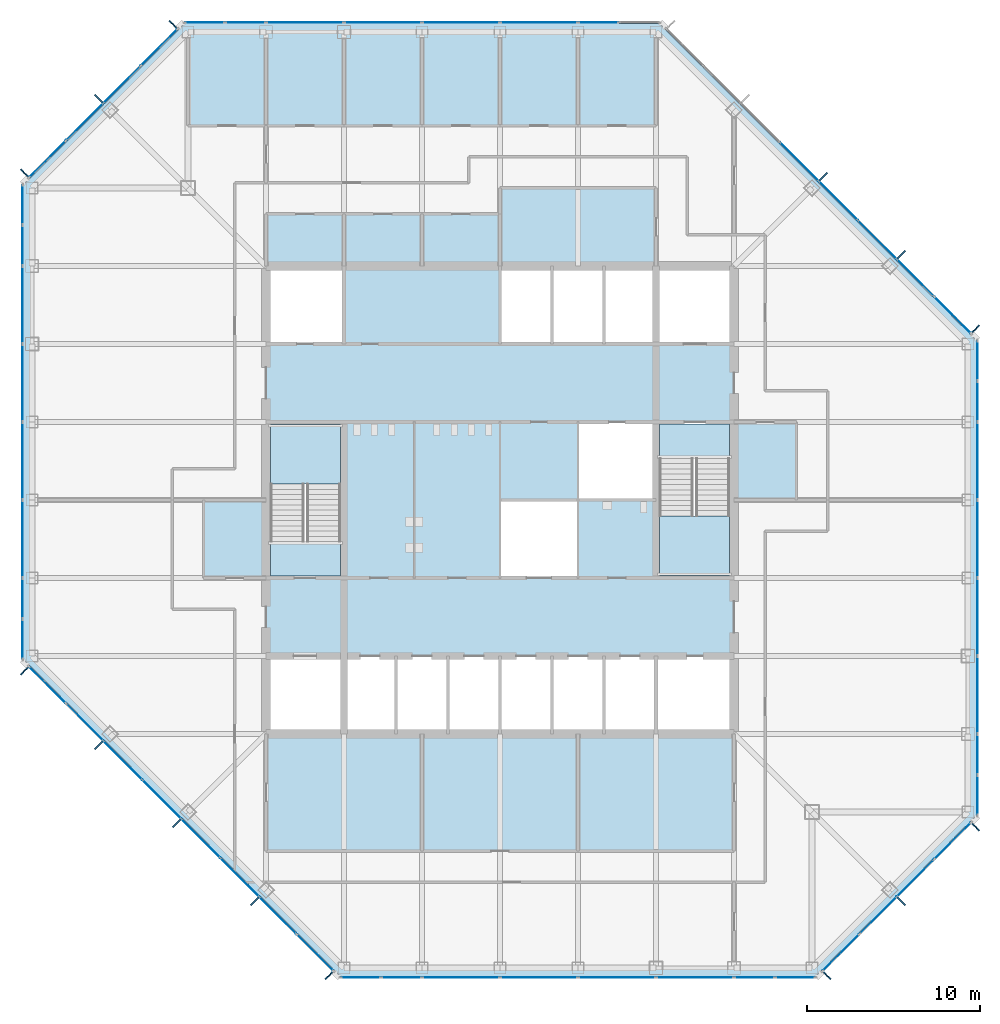
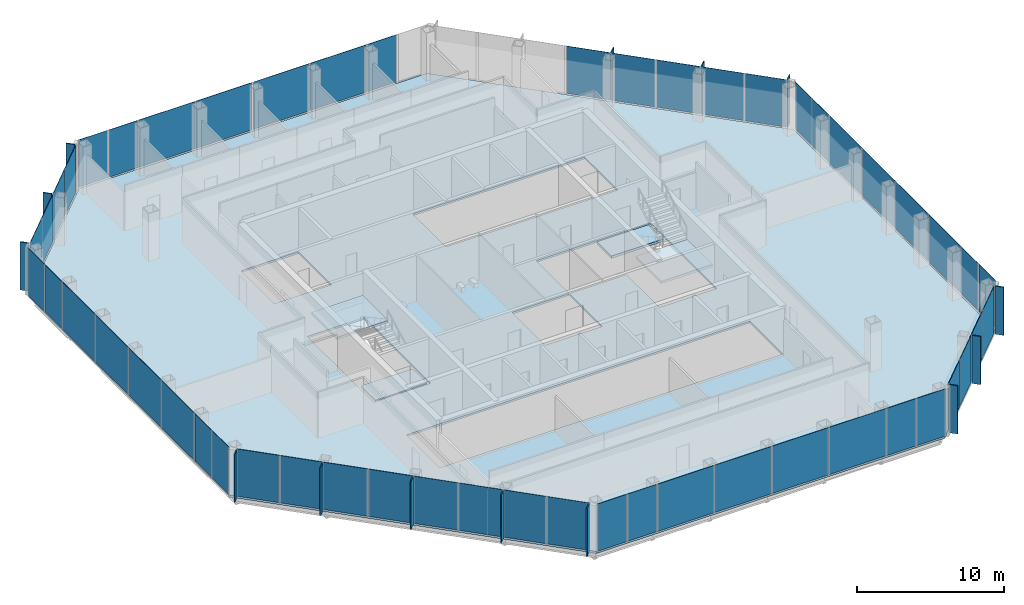
# One storey, part 7 of 13: 66 plates, 5 slabs, 10 elements without a shape of their own.
"""IFC4 building model written with IfcOpenShell, lengths in metres."""

from ifc_helpers import new_model, si_unit, direction, frame, origin, origin_2d, place, context, subcontext, project, spatial, polyline, rectangle, outline, extrude, material, layer, layer_set, type_object, element, aggregate, save


model = new_model("IFC4")

# Units and contexts
model_context = context("Model", 3, precision=1e-05, world=origin(), true_north=direction((0.0, 1.0)))
body_context = subcontext(model_context, "Body", "Model", "MODEL_VIEW")
ifc_project = project(units=[si_unit("LENGTHUNIT", "METRE"), si_unit("AREAUNIT", "SQUARE_METRE"), si_unit("VOLUMEUNIT", "CUBIC_METRE"), si_unit("PLANEANGLEUNIT", "RADIAN"), si_unit("MASSUNIT", "GRAM", prefix="KILO")], contexts=[model_context])

# Site, building, storey
site_placement = place(None, origin())
site = spatial("IfcSite", under=ifc_project, at=site_placement, CompositionType="ELEMENT")
building_placement = place(site_placement, origin())
building = spatial("IfcBuilding", under=site, at=building_placement, Name="Corais Broadcast Tower", CompositionType="ELEMENT")
storey_placement = place(building_placement, frame((0.0, 0.0, 171.60009765625)))
storey = spatial("IfcBuildingStorey", under=building, at=storey_placement, Name="L39", CompositionType="ELEMENT", Elevation=171.60009765625)

# Slab
ifc_material_1 = material(Name="Concrete C30/37", Category="concrete")
ifc_layer_1 = layer(ifc_material_1, 0.159912109375)
ifc_layer_set_1 = layer_set([ifc_layer_1], Name="Concrete C30/37")
slab_type_1 = type_object("IfcSlabType", Name="Composite floor slab 160", PredefinedType="FLOOR", material=ifc_layer_set_1)
slab_1_placement = place(storey_placement, frame((0.0, 0.0, -0.16015625)))
element("IfcSlab", 1, at=slab_1_placement, inside=storey, type_object=slab_type_1, Name="S160 floor slab L39", PredefinedType="FLOOR", context=body_context, shape_type="SweptSolid", body=[
    extrude(outline(polyline([(17.80126953125, -0.47998046875), (-0.47998046875, 17.80126953125), (-0.47998046875, 45.19873046875), (8.80126953125, 54.47998046875), (36.19873046875, 54.47998046875), (54.47998046875, 36.19873046875), (54.47998046875, 8.80126953125), (45.19873046875, -0.47998046875), (17.80126953125, -0.47998046875)]), holes=[polyline([(13.5, 18.0), (40.5, 18.0), (40.5, 13.5), (13.5, 13.5), (13.5, 18.0)]), polyline([(18.0, 22.5), (13.5, 22.5), (13.5, 31.5), (18.0, 31.5), (18.0, 22.5)]), polyline([(18.0, 36.0), (13.5, 36.0), (13.5, 40.5), (18.0, 40.5), (18.0, 36.0)]), polyline([(31.5, 22.5), (27.0, 22.5), (27.0, 27.0), (31.4951171875, 27.0), (31.4951171875, 27.0048828125), (31.5, 27.0048828125), (31.5, 31.5), (40.5, 31.5), (40.5, 22.5), (36.0, 22.5), (36.0, 27.0), (31.5048828125, 27.0), (31.5048828125, 26.9951171875), (31.5, 26.9951171875), (31.5, 22.5)]), polyline([(27.0, 40.5), (40.5, 40.5), (40.5, 36.0), (27.0, 36.0), (27.0, 40.5)])]), origin(), (0.0, 0.0, 1.0), 0.16015625),
])

# Curtain wall, plates
ifc_material_2 = material(Name="Aluminium and glass", Category="aluminium")
curtain_wall_type = type_object("IfcCurtainWallType", Name="Unitised fritted curtain wall CW2", PredefinedType="NOTDEFINED", material=ifc_material_2)
curtain_wall_1_placement = place(storey_placement, origin())
curtain_wall_1 = element("IfcCurtainWall", 2, at=curtain_wall_1_placement, inside=storey, type_object=curtain_wall_type, Name="CW2 curtain wall L39 1", PredefinedType="NOTDEFINED")
ifc_material_3 = material(Name="Ceramic-fritted laminated glass", Category="glass")
ifc_layer_2 = layer(ifc_material_3, 0.028076171875)
ifc_layer_set_2 = layer_set([ifc_layer_2], Name="Ceramic-fritted laminated glass")
plate_type_1 = type_object("IfcPlateType", Name="Fritted glass panel CW2", PredefinedType="CURTAIN_PANEL", material=ifc_layer_set_2)
plate_1_placement = place(storey_placement, frame((16.330322265625, 0.891845703125, 0.06494140625), z_axis=(0.0, 0.0, 1.0), x_axis=(-0.707106781187, 0.707106781187, 0.0)))
plate_1 = element("IfcPlate", 3, at=plate_1_placement, type_object=plate_type_1, Name="CW2 panel 1", PredefinedType="CURTAIN_PANEL", context=body_context, shape_type="SweptSolid", body=[
    extrude(rectangle(XDim=2.9482421875, YDim=0.028076171875, at=origin_2d()), origin(), (0.0, 0.0, 1.0), 3.93505859375),
])
plate_2_placement = place(storey_placement, frame((11.986083984375, 5.236083984375, 0.06494140625), z_axis=(0.0, 0.0, 1.0), x_axis=(-0.707106781187, 0.707106781187, 0.0)))
plate_2 = element("IfcPlate", 4, at=plate_2_placement, type_object=plate_type_1, Name="CW2 panel 3", PredefinedType="CURTAIN_PANEL", context=body_context, shape_type="SweptSolid", body=[
    extrude(rectangle(XDim=3.116943359375, YDim=0.028076171875, at=origin_2d()), origin(), (0.0, 0.0, 1.0), 3.93505859375),
])
plate_3_placement = place(storey_placement, frame((7.486083984375, 9.736083984375, 0.06494140625), z_axis=(0.0, 0.0, 1.0), x_axis=(-0.707106781187, 0.707106781187, 0.0)))
plate_3 = element("IfcPlate", 5, at=plate_3_placement, type_object=plate_type_1, Name="CW2 panel 5", PredefinedType="CURTAIN_PANEL", context=body_context, shape_type="SweptSolid", body=[
    extrude(rectangle(XDim=3.116943359375, YDim=0.028076171875, at=origin_2d()), origin(), (0.0, 0.0, 1.0), 3.93505859375),
])
plate_4_placement = place(storey_placement, frame((3.0341796875, 14.18798828125, 0.06494140625), z_axis=(0.0, 0.0, 1.0), x_axis=(-0.707106781187, 0.707106781187, 0.0)))
plate_4 = element("IfcPlate", 6, at=plate_4_placement, type_object=plate_type_1, Name="CW2 panel 7", PredefinedType="CURTAIN_PANEL", context=body_context, shape_type="SweptSolid", body=[
    extrude(rectangle(XDim=2.98095703125, YDim=0.028076171875, at=origin_2d()), origin(), (0.0, 0.0, 1.0), 3.93505859375),
])

curtain_wall_2_placement = place(storey_placement, origin())
curtain_wall_2 = element("IfcCurtainWall", 7, at=curtain_wall_2_placement, inside=storey, type_object=curtain_wall_type, Name="CW2 curtain wall L39 2", PredefinedType="NOTDEFINED")
plate_5_placement = place(storey_placement, frame((-0.550048828125, 18.970458984375, 0.06494140625), z_axis=(0.0, 0.0, 1.0), x_axis=(0.0, 1.0, 0.0)))
plate_5 = element("IfcPlate", 8, at=plate_5_placement, type_object=plate_type_1, Name="CW2 panel 1", PredefinedType="CURTAIN_PANEL", context=body_context, shape_type="SweptSolid", body=[
    extrude(rectangle(XDim=2.266357421875, YDim=0.028076171875, at=origin_2d()), origin(), (0.0, 0.0, 1.0), 3.93505859375),
])
plate_6_placement = place(storey_placement, frame((-0.550048828125, 24.75, 0.06494140625), z_axis=(0.0, 0.0, 1.0), x_axis=(0.0, 1.0, 0.0)))
plate_6 = element("IfcPlate", 9, at=plate_6_placement, type_object=plate_type_1, Name="CW2 panel 3", PredefinedType="CURTAIN_PANEL", context=body_context, shape_type="SweptSolid", body=[
    extrude(rectangle(XDim=4.43505859375, YDim=0.028076171875, at=origin_2d()), origin(), (0.0, 0.0, 1.0), 3.93505859375),
])
plate_7_placement = place(storey_placement, frame((-0.550048828125, 33.75, 0.06494140625), z_axis=(0.0, 0.0, 1.0), x_axis=(0.0, 1.0, 0.0)))
plate_7 = element("IfcPlate", 10, at=plate_7_placement, type_object=plate_type_1, Name="CW2 panel 5", PredefinedType="CURTAIN_PANEL", context=body_context, shape_type="SweptSolid", body=[
    extrude(rectangle(XDim=4.43505859375, YDim=0.028076171875, at=origin_2d()), origin(), (0.0, 0.0, 1.0), 3.93505859375),
])
plate_8_placement = place(storey_placement, frame((-0.550048828125, 41.681884765625, 0.06494140625), z_axis=(0.0, 0.0, 1.0), x_axis=(0.0, 1.0, 0.0)))
plate_8 = element("IfcPlate", 11, at=plate_8_placement, type_object=plate_type_1, Name="CW2 panel 7", PredefinedType="CURTAIN_PANEL", context=body_context, shape_type="SweptSolid", body=[
    extrude(rectangle(XDim=2.298828125, YDim=0.028076171875, at=origin_2d()), origin(), (0.0, 0.0, 1.0), 3.93505859375),
])

curtain_wall_3_placement = place(storey_placement, origin())
curtain_wall_3 = element("IfcCurtainWall", 12, at=curtain_wall_3_placement, inside=storey, type_object=curtain_wall_type, Name="CW2 curtain wall L39 3", PredefinedType="NOTDEFINED")
plate_9_placement = place(storey_placement, frame((0.891845703125, 46.669677734375, 0.06494140625), z_axis=(0.0, 0.0, 1.0), x_axis=(0.707106781187, 0.707106781187, 0.0)))
plate_9 = element("IfcPlate", 13, at=plate_9_placement, type_object=plate_type_1, Name="CW2 panel 1", PredefinedType="CURTAIN_PANEL", context=body_context, shape_type="SweptSolid", body=[
    extrude(rectangle(XDim=2.9482421875, YDim=0.028076171875, at=origin_2d()), origin(), (0.0, 0.0, 1.0), 3.93505859375),
])
plate_10_placement = place(storey_placement, frame((5.18798828125, 50.9658203125, 0.06494140625), z_axis=(0.0, 0.0, 1.0), x_axis=(0.707106781187, 0.707106781187, 0.0)))
plate_10 = element("IfcPlate", 14, at=plate_10_placement, type_object=plate_type_1, Name="CW2 panel 3", PredefinedType="CURTAIN_PANEL", context=body_context, shape_type="SweptSolid", body=[
    extrude(rectangle(XDim=2.98095703125, YDim=0.028076171875, at=origin_2d()), origin(), (0.0, 0.0, 1.0), 3.93505859375),
])

curtain_wall_4_placement = place(storey_placement, origin())
curtain_wall_4 = element("IfcCurtainWall", 15, at=curtain_wall_4_placement, inside=storey, type_object=curtain_wall_type, Name="CW2 curtain wall L39 4", PredefinedType="NOTDEFINED")
plate_11_placement = place(storey_placement, frame((9.970458984375, 54.550048828125, 0.06494140625), z_axis=(0.0, 0.0, 1.0), x_axis=(1.0, 0.0, 0.0)))
plate_11 = element("IfcPlate", 16, at=plate_11_placement, type_object=plate_type_1, Name="CW2 panel 1", PredefinedType="CURTAIN_PANEL", context=body_context, shape_type="SweptSolid", body=[
    extrude(rectangle(XDim=2.266357421875, YDim=0.028076171875, at=origin_2d()), origin(), (0.0, 0.0, 1.0), 3.93505859375),
])
plate_12_placement = place(storey_placement, frame((15.75, 54.550048828125, 0.06494140625), z_axis=(0.0, 0.0, 1.0), x_axis=(1.0, 0.0, 0.0)))
plate_12 = element("IfcPlate", 17, at=plate_12_placement, type_object=plate_type_1, Name="CW2 panel 3", PredefinedType="CURTAIN_PANEL", context=body_context, shape_type="SweptSolid", body=[
    extrude(rectangle(XDim=4.43505859375, YDim=0.028076171875, at=origin_2d()), origin(), (0.0, 0.0, 1.0), 3.93505859375),
])
plate_13_placement = place(storey_placement, frame((24.75, 54.550048828125, 0.06494140625), z_axis=(0.0, 0.0, 1.0), x_axis=(1.0, 0.0, 0.0)))
plate_13 = element("IfcPlate", 18, at=plate_13_placement, type_object=plate_type_1, Name="CW2 panel 5", PredefinedType="CURTAIN_PANEL", context=body_context, shape_type="SweptSolid", body=[
    extrude(rectangle(XDim=4.43505859375, YDim=0.028076171875, at=origin_2d()), origin(), (0.0, 0.0, 1.0), 3.93505859375),
])
plate_14_placement = place(storey_placement, frame((32.681884765625, 54.550048828125, 0.06494140625), z_axis=(0.0, 0.0, 1.0), x_axis=(1.0, 0.0, 0.0)))
plate_14 = element("IfcPlate", 19, at=plate_14_placement, type_object=plate_type_1, Name="CW2 panel 7", PredefinedType="CURTAIN_PANEL", context=body_context, shape_type="SweptSolid", body=[
    extrude(rectangle(XDim=2.298828125, YDim=0.028076171875, at=origin_2d()), origin(), (0.0, 0.0, 1.0), 3.93505859375),
])

curtain_wall_5_placement = place(storey_placement, origin())
curtain_wall_5 = element("IfcCurtainWall", 20, at=curtain_wall_5_placement, inside=storey, type_object=curtain_wall_type, Name="CW2 curtain wall L39 5", PredefinedType="NOTDEFINED")
plate_15_placement = place(storey_placement, frame((46.513916015625, 44.263916015625, 0.06494140625), z_axis=(0.0, 0.0, 1.0), x_axis=(0.707106781187, -0.707106781187, 0.0)))
plate_15 = element("IfcPlate", 21, at=plate_15_placement, type_object=plate_type_1, Name="CW2 panel 5", PredefinedType="CURTAIN_PANEL", context=body_context, shape_type="SweptSolid", body=[
    extrude(rectangle(XDim=3.116943359375, YDim=0.028076171875, at=origin_2d()), origin(), (0.0, 0.0, 1.0), 3.93505859375),
])
plate_16_placement = place(storey_placement, frame((50.9658203125, 39.81201171875, 0.06494140625), z_axis=(0.0, 0.0, 1.0), x_axis=(0.707106781187, -0.707106781187, 0.0)))
plate_16 = element("IfcPlate", 22, at=plate_16_placement, type_object=plate_type_1, Name="CW2 panel 7", PredefinedType="CURTAIN_PANEL", context=body_context, shape_type="SweptSolid", body=[
    extrude(rectangle(XDim=2.98095703125, YDim=0.028076171875, at=origin_2d()), origin(), (0.0, 0.0, 1.0), 3.93505859375),
])

curtain_wall_6_placement = place(storey_placement, origin())
curtain_wall_6 = element("IfcCurtainWall", 23, at=curtain_wall_6_placement, inside=storey, type_object=curtain_wall_type, Name="CW2 curtain wall L39 6", PredefinedType="NOTDEFINED")
plate_17_placement = place(storey_placement, frame((54.550048828125, 35.029541015625, 0.06494140625), z_axis=(0.0, 0.0, 1.0), x_axis=(0.0, -1.0, 0.0)))
plate_17 = element("IfcPlate", 24, at=plate_17_placement, type_object=plate_type_1, Name="CW2 panel 1", PredefinedType="CURTAIN_PANEL", context=body_context, shape_type="SweptSolid", body=[
    extrude(rectangle(XDim=2.266357421875, YDim=0.028076171875, at=origin_2d()), origin(), (0.0, 0.0, 1.0), 3.93505859375),
])
plate_18_placement = place(storey_placement, frame((54.550048828125, 29.25, 0.06494140625), z_axis=(0.0, 0.0, 1.0), x_axis=(0.0, -1.0, 0.0)))
plate_18 = element("IfcPlate", 25, at=plate_18_placement, type_object=plate_type_1, Name="CW2 panel 3", PredefinedType="CURTAIN_PANEL", context=body_context, shape_type="SweptSolid", body=[
    extrude(rectangle(XDim=4.43505859375, YDim=0.028076171875, at=origin_2d()), origin(), (0.0, 0.0, 1.0), 3.93505859375),
])
plate_19_placement = place(storey_placement, frame((54.550048828125, 20.25, 0.06494140625), z_axis=(0.0, 0.0, 1.0), x_axis=(0.0, -1.0, 0.0)))
plate_19 = element("IfcPlate", 26, at=plate_19_placement, type_object=plate_type_1, Name="CW2 panel 5", PredefinedType="CURTAIN_PANEL", context=body_context, shape_type="SweptSolid", body=[
    extrude(rectangle(XDim=4.43505859375, YDim=0.028076171875, at=origin_2d()), origin(), (0.0, 0.0, 1.0), 3.93505859375),
])
plate_20_placement = place(storey_placement, frame((54.550048828125, 12.318115234375, 0.06494140625), z_axis=(0.0, 0.0, 1.0), x_axis=(0.0, -1.0, 0.0)))
plate_20 = element("IfcPlate", 27, at=plate_20_placement, type_object=plate_type_1, Name="CW2 panel 7", PredefinedType="CURTAIN_PANEL", context=body_context, shape_type="SweptSolid", body=[
    extrude(rectangle(XDim=2.298828125, YDim=0.028076171875, at=origin_2d()), origin(), (0.0, 0.0, 1.0), 3.93505859375),
])

curtain_wall_7_placement = place(storey_placement, origin())
curtain_wall_7 = element("IfcCurtainWall", 28, at=curtain_wall_7_placement, inside=storey, type_object=curtain_wall_type, Name="CW2 curtain wall L39 7", PredefinedType="NOTDEFINED")
plate_21_placement = place(storey_placement, frame((53.108154296875, 7.330322265625, 0.06494140625), z_axis=(0.0, 0.0, 1.0), x_axis=(-0.707106781187, -0.707106781187, 0.0)))
plate_21 = element("IfcPlate", 29, at=plate_21_placement, type_object=plate_type_1, Name="CW2 panel 1", PredefinedType="CURTAIN_PANEL", context=body_context, shape_type="SweptSolid", body=[
    extrude(rectangle(XDim=2.9482421875, YDim=0.028076171875, at=origin_2d()), origin(), (0.0, 0.0, 1.0), 3.93505859375),
])
plate_22_placement = place(storey_placement, frame((48.81201171875, 3.0341796875, 0.06494140625), z_axis=(0.0, 0.0, 1.0), x_axis=(-0.707106781187, -0.707106781187, 0.0)))
plate_22 = element("IfcPlate", 30, at=plate_22_placement, type_object=plate_type_1, Name="CW2 panel 3", PredefinedType="CURTAIN_PANEL", context=body_context, shape_type="SweptSolid", body=[
    extrude(rectangle(XDim=2.98095703125, YDim=0.028076171875, at=origin_2d()), origin(), (0.0, 0.0, 1.0), 3.93505859375),
])

curtain_wall_8_placement = place(storey_placement, origin())
curtain_wall_8 = element("IfcCurtainWall", 31, at=curtain_wall_8_placement, inside=storey, type_object=curtain_wall_type, Name="CW2 curtain wall L39 8", PredefinedType="NOTDEFINED")
plate_23_placement = place(storey_placement, frame((44.029541015625, -0.550048828125, 0.06494140625), z_axis=(0.0, 0.0, 1.0), x_axis=(-1.0, 0.0, 0.0)))
plate_23 = element("IfcPlate", 32, at=plate_23_placement, type_object=plate_type_1, Name="CW2 panel 1", PredefinedType="CURTAIN_PANEL", context=body_context, shape_type="SweptSolid", body=[
    extrude(rectangle(XDim=2.266357421875, YDim=0.028076171875, at=origin_2d()), origin(), (0.0, 0.0, 1.0), 3.93505859375),
])
plate_24_placement = place(storey_placement, frame((38.25, -0.550048828125, 0.06494140625), z_axis=(0.0, 0.0, 1.0), x_axis=(-1.0, 0.0, 0.0)))
plate_24 = element("IfcPlate", 33, at=plate_24_placement, type_object=plate_type_1, Name="CW2 panel 3", PredefinedType="CURTAIN_PANEL", context=body_context, shape_type="SweptSolid", body=[
    extrude(rectangle(XDim=4.43505859375, YDim=0.028076171875, at=origin_2d()), origin(), (0.0, 0.0, 1.0), 3.93505859375),
])
plate_25_placement = place(storey_placement, frame((29.25, -0.550048828125, 0.06494140625), z_axis=(0.0, 0.0, 1.0), x_axis=(-1.0, 0.0, 0.0)))
plate_25 = element("IfcPlate", 34, at=plate_25_placement, type_object=plate_type_1, Name="CW2 panel 5", PredefinedType="CURTAIN_PANEL", context=body_context, shape_type="SweptSolid", body=[
    extrude(rectangle(XDim=4.43505859375, YDim=0.028076171875, at=origin_2d()), origin(), (0.0, 0.0, 1.0), 3.93505859375),
])
plate_26_placement = place(storey_placement, frame((21.318115234375, -0.550048828125, 0.06494140625), z_axis=(0.0, 0.0, 1.0), x_axis=(-1.0, 0.0, 0.0)))
plate_26 = element("IfcPlate", 35, at=plate_26_placement, type_object=plate_type_1, Name="CW2 panel 7", PredefinedType="CURTAIN_PANEL", context=body_context, shape_type="SweptSolid", body=[
    extrude(rectangle(XDim=2.298828125, YDim=0.028076171875, at=origin_2d()), origin(), (0.0, 0.0, 1.0), 3.93505859375),
])

# Plate
ifc_material_4 = material(Name="Clear laminated glass", Category="glass")
ifc_layer_3 = layer(ifc_material_4, 0.031982421875)
ifc_layer_set_3 = layer_set([ifc_layer_3], Name="Clear laminated glass")
plate_type_2 = type_object("IfcPlateType", Name="Operable glass panel CW2", PredefinedType="CURTAIN_PANEL", material=ifc_layer_set_3)
plate_27_placement = place(storey_placement, frame((14.18798828125, 3.0341796875, 0.06494140625), z_axis=(0.0, 0.0, 1.0), x_axis=(-0.707106781187, 0.707106781187, 0.0)))
plate_27 = element("IfcPlate", 36, at=plate_27_placement, type_object=plate_type_2, Name="CW2 operable panel 2", PredefinedType="CURTAIN_PANEL", context=body_context, shape_type="SweptSolid", body=[
    extrude(rectangle(XDim=2.98095703125, YDim=0.031982421875, at=origin_2d()), origin(), (0.0, 0.0, 1.0), 3.93505859375),
])

plate_28_placement = place(storey_placement, frame((9.736083984375, 7.486083984375, 0.06494140625), z_axis=(0.0, 0.0, 1.0), x_axis=(-0.707106781187, 0.707106781187, 0.0)))
plate_28 = element("IfcPlate", 37, at=plate_28_placement, type_object=plate_type_2, Name="CW2 operable panel 4", PredefinedType="CURTAIN_PANEL", context=body_context, shape_type="SweptSolid", body=[
    extrude(rectangle(XDim=3.116943359375, YDim=0.031982421875, at=origin_2d()), origin(), (0.0, 0.0, 1.0), 3.93505859375),
])

plate_29_placement = place(storey_placement, frame((5.236083984375, 11.986083984375, 0.06494140625), z_axis=(0.0, 0.0, 1.0), x_axis=(-0.707106781187, 0.707106781187, 0.0)))
plate_29 = element("IfcPlate", 38, at=plate_29_placement, type_object=plate_type_2, Name="CW2 operable panel 6", PredefinedType="CURTAIN_PANEL", context=body_context, shape_type="SweptSolid", body=[
    extrude(rectangle(XDim=3.116943359375, YDim=0.031982421875, at=origin_2d()), origin(), (0.0, 0.0, 1.0), 3.93505859375),
])

plate_30_placement = place(storey_placement, frame((0.89208984375, 16.330322265625, 0.06494140625), z_axis=(0.0, 0.0, 1.0), x_axis=(-0.707106781187, 0.707106781187, 0.0)))
plate_30 = element("IfcPlate", 39, at=plate_30_placement, type_object=plate_type_2, Name="CW2 operable panel 8", PredefinedType="CURTAIN_PANEL", context=body_context, shape_type="SweptSolid", body=[
    extrude(rectangle(XDim=2.948486328125, YDim=0.031982421875, at=origin_2d()), origin(), (0.0, 0.0, 1.0), 3.93505859375),
])

aggregate(curtain_wall_1, [plate_1, plate_27, plate_2, plate_28, plate_3, plate_29, plate_4, plate_30])

plate_31_placement = place(storey_placement, frame((-0.550048828125, 21.318115234375, 0.06494140625), z_axis=(0.0, 0.0, 1.0), x_axis=(0.0, 1.0, 0.0)))
plate_31 = element("IfcPlate", 40, at=plate_31_placement, type_object=plate_type_2, Name="CW2 operable panel 2", PredefinedType="CURTAIN_PANEL", context=body_context, shape_type="SweptSolid", body=[
    extrude(rectangle(XDim=2.298828125, YDim=0.031982421875, at=origin_2d()), origin(), (0.0, 0.0, 1.0), 3.93505859375),
])

plate_32_placement = place(storey_placement, frame((-0.550048828125, 29.25, 0.06494140625), z_axis=(0.0, 0.0, 1.0), x_axis=(0.0, 1.0, 0.0)))
plate_32 = element("IfcPlate", 41, at=plate_32_placement, type_object=plate_type_2, Name="CW2 operable panel 4", PredefinedType="CURTAIN_PANEL", context=body_context, shape_type="SweptSolid", body=[
    extrude(rectangle(XDim=4.43505859375, YDim=0.031982421875, at=origin_2d()), origin(), (0.0, 0.0, 1.0), 3.93505859375),
])

plate_33_placement = place(storey_placement, frame((-0.550048828125, 38.25, 0.06494140625), z_axis=(0.0, 0.0, 1.0), x_axis=(0.0, 1.0, 0.0)))
plate_33 = element("IfcPlate", 42, at=plate_33_placement, type_object=plate_type_2, Name="CW2 operable panel 6", PredefinedType="CURTAIN_PANEL", context=body_context, shape_type="SweptSolid", body=[
    extrude(rectangle(XDim=4.43505859375, YDim=0.031982421875, at=origin_2d()), origin(), (0.0, 0.0, 1.0), 3.93505859375),
])

plate_34_placement = place(storey_placement, frame((-0.550048828125, 44.029541015625, 0.06494140625), z_axis=(0.0, 0.0, 1.0), x_axis=(0.0, 1.0, 0.0)))
plate_34 = element("IfcPlate", 43, at=plate_34_placement, type_object=plate_type_2, Name="CW2 operable panel 8", PredefinedType="CURTAIN_PANEL", context=body_context, shape_type="SweptSolid", body=[
    extrude(rectangle(XDim=2.266357421875, YDim=0.031982421875, at=origin_2d()), origin(), (0.0, 0.0, 1.0), 3.93505859375),
])

aggregate(curtain_wall_2, [plate_5, plate_31, plate_6, plate_32, plate_7, plate_33, plate_8, plate_34])

plate_35_placement = place(storey_placement, frame((3.0341796875, 48.81201171875, 0.06494140625), z_axis=(0.0, 0.0, 1.0), x_axis=(0.707106781187, 0.707106781187, 0.0)))
plate_35 = element("IfcPlate", 44, at=plate_35_placement, type_object=plate_type_2, Name="CW2 operable panel 2", PredefinedType="CURTAIN_PANEL", context=body_context, shape_type="SweptSolid", body=[
    extrude(rectangle(XDim=2.98095703125, YDim=0.031982421875, at=origin_2d()), origin(), (0.0, 0.0, 1.0), 3.93505859375),
])

plate_36_placement = place(storey_placement, frame((7.330322265625, 53.10791015625, 0.06494140625), z_axis=(0.0, 0.0, 1.0), x_axis=(0.707106781187, 0.707106781187, 0.0)))
plate_36 = element("IfcPlate", 45, at=plate_36_placement, type_object=plate_type_2, Name="CW2 operable panel 4", PredefinedType="CURTAIN_PANEL", context=body_context, shape_type="SweptSolid", body=[
    extrude(rectangle(XDim=2.948486328125, YDim=0.031982421875, at=origin_2d()), origin(), (0.0, 0.0, 1.0), 3.93505859375),
])

aggregate(curtain_wall_3, [plate_9, plate_35, plate_10, plate_36])

plate_37_placement = place(storey_placement, frame((12.318115234375, 54.550048828125, 0.06494140625), z_axis=(0.0, 0.0, 1.0), x_axis=(1.0, 0.0, 0.0)))
plate_37 = element("IfcPlate", 46, at=plate_37_placement, type_object=plate_type_2, Name="CW2 operable panel 2", PredefinedType="CURTAIN_PANEL", context=body_context, shape_type="SweptSolid", body=[
    extrude(rectangle(XDim=2.298828125, YDim=0.031982421875, at=origin_2d()), origin(), (0.0, 0.0, 1.0), 3.93505859375),
])

plate_38_placement = place(storey_placement, frame((20.25, 54.550048828125, 0.06494140625), z_axis=(0.0, 0.0, 1.0), x_axis=(1.0, 0.0, 0.0)))
plate_38 = element("IfcPlate", 47, at=plate_38_placement, type_object=plate_type_2, Name="CW2 operable panel 4", PredefinedType="CURTAIN_PANEL", context=body_context, shape_type="SweptSolid", body=[
    extrude(rectangle(XDim=4.43505859375, YDim=0.031982421875, at=origin_2d()), origin(), (0.0, 0.0, 1.0), 3.93505859375),
])

plate_39_placement = place(storey_placement, frame((29.25, 54.550048828125, 0.06494140625), z_axis=(0.0, 0.0, 1.0), x_axis=(1.0, 0.0, 0.0)))
plate_39 = element("IfcPlate", 48, at=plate_39_placement, type_object=plate_type_2, Name="CW2 operable panel 6", PredefinedType="CURTAIN_PANEL", context=body_context, shape_type="SweptSolid", body=[
    extrude(rectangle(XDim=4.43505859375, YDim=0.031982421875, at=origin_2d()), origin(), (0.0, 0.0, 1.0), 3.93505859375),
])

aggregate(curtain_wall_4, [plate_11, plate_37, plate_12, plate_38, plate_13, plate_39, plate_14])

plate_40_placement = place(storey_placement, frame((44.263916015625, 46.513916015625, 0.06494140625), z_axis=(0.0, 0.0, 1.0), x_axis=(0.707106781187, -0.707106781187, 0.0)))
plate_40 = element("IfcPlate", 49, at=plate_40_placement, type_object=plate_type_2, Name="CW2 operable panel 4", PredefinedType="CURTAIN_PANEL", context=body_context, shape_type="SweptSolid", body=[
    extrude(rectangle(XDim=3.116943359375, YDim=0.031982421875, at=origin_2d()), origin(), (0.0, 0.0, 1.0), 3.93505859375),
])

plate_41_placement = place(storey_placement, frame((48.763916015625, 42.013916015625, 0.06494140625), z_axis=(0.0, 0.0, 1.0), x_axis=(0.707106781187, -0.707106781187, 0.0)))
plate_41 = element("IfcPlate", 50, at=plate_41_placement, type_object=plate_type_2, Name="CW2 operable panel 6", PredefinedType="CURTAIN_PANEL", context=body_context, shape_type="SweptSolid", body=[
    extrude(rectangle(XDim=3.116943359375, YDim=0.031982421875, at=origin_2d()), origin(), (0.0, 0.0, 1.0), 3.93505859375),
])

plate_42_placement = place(storey_placement, frame((53.10791015625, 37.669677734375, 0.06494140625), z_axis=(0.0, 0.0, 1.0), x_axis=(0.707106781187, -0.707106781187, 0.0)))
plate_42 = element("IfcPlate", 51, at=plate_42_placement, type_object=plate_type_2, Name="CW2 operable panel 8", PredefinedType="CURTAIN_PANEL", context=body_context, shape_type="SweptSolid", body=[
    extrude(rectangle(XDim=2.948486328125, YDim=0.031982421875, at=origin_2d()), origin(), (0.0, 0.0, 1.0), 3.93505859375),
])

aggregate(curtain_wall_5, [plate_40, plate_15, plate_41, plate_16, plate_42])

plate_43_placement = place(storey_placement, frame((54.550048828125, 32.681884765625, 0.06494140625), z_axis=(0.0, 0.0, 1.0), x_axis=(0.0, -1.0, 0.0)))
plate_43 = element("IfcPlate", 52, at=plate_43_placement, type_object=plate_type_2, Name="CW2 operable panel 2", PredefinedType="CURTAIN_PANEL", context=body_context, shape_type="SweptSolid", body=[
    extrude(rectangle(XDim=2.298828125, YDim=0.031982421875, at=origin_2d()), origin(), (0.0, 0.0, 1.0), 3.93505859375),
])

plate_44_placement = place(storey_placement, frame((54.550048828125, 24.75, 0.06494140625), z_axis=(0.0, 0.0, 1.0), x_axis=(0.0, -1.0, 0.0)))
plate_44 = element("IfcPlate", 53, at=plate_44_placement, type_object=plate_type_2, Name="CW2 operable panel 4", PredefinedType="CURTAIN_PANEL", context=body_context, shape_type="SweptSolid", body=[
    extrude(rectangle(XDim=4.43505859375, YDim=0.031982421875, at=origin_2d()), origin(), (0.0, 0.0, 1.0), 3.93505859375),
])

plate_45_placement = place(storey_placement, frame((54.550048828125, 15.75, 0.06494140625), z_axis=(0.0, 0.0, 1.0), x_axis=(0.0, -1.0, 0.0)))
plate_45 = element("IfcPlate", 54, at=plate_45_placement, type_object=plate_type_2, Name="CW2 operable panel 6", PredefinedType="CURTAIN_PANEL", context=body_context, shape_type="SweptSolid", body=[
    extrude(rectangle(XDim=4.43505859375, YDim=0.031982421875, at=origin_2d()), origin(), (0.0, 0.0, 1.0), 3.93505859375),
])

plate_46_placement = place(storey_placement, frame((54.550048828125, 9.970458984375, 0.06494140625), z_axis=(0.0, 0.0, 1.0), x_axis=(0.0, -1.0, 0.0)))
plate_46 = element("IfcPlate", 55, at=plate_46_placement, type_object=plate_type_2, Name="CW2 operable panel 8", PredefinedType="CURTAIN_PANEL", context=body_context, shape_type="SweptSolid", body=[
    extrude(rectangle(XDim=2.266357421875, YDim=0.031982421875, at=origin_2d()), origin(), (0.0, 0.0, 1.0), 3.93505859375),
])

aggregate(curtain_wall_6, [plate_17, plate_43, plate_18, plate_44, plate_19, plate_45, plate_20, plate_46])

plate_47_placement = place(storey_placement, frame((50.9658203125, 5.18798828125, 0.06494140625), z_axis=(0.0, 0.0, 1.0), x_axis=(-0.707106781187, -0.707106781187, 0.0)))
plate_47 = element("IfcPlate", 56, at=plate_47_placement, type_object=plate_type_2, Name="CW2 operable panel 2", PredefinedType="CURTAIN_PANEL", context=body_context, shape_type="SweptSolid", body=[
    extrude(rectangle(XDim=2.98095703125, YDim=0.031982421875, at=origin_2d()), origin(), (0.0, 0.0, 1.0), 3.93505859375),
])

plate_48_placement = place(storey_placement, frame((46.669677734375, 0.89208984375, 0.06494140625), z_axis=(0.0, 0.0, 1.0), x_axis=(-0.707106781187, -0.707106781187, 0.0)))
plate_48 = element("IfcPlate", 57, at=plate_48_placement, type_object=plate_type_2, Name="CW2 operable panel 4", PredefinedType="CURTAIN_PANEL", context=body_context, shape_type="SweptSolid", body=[
    extrude(rectangle(XDim=2.948486328125, YDim=0.031982421875, at=origin_2d()), origin(), (0.0, 0.0, 1.0), 3.93505859375),
])

aggregate(curtain_wall_7, [plate_21, plate_47, plate_22, plate_48])

plate_49_placement = place(storey_placement, frame((41.681884765625, -0.550048828125, 0.06494140625), z_axis=(0.0, 0.0, 1.0), x_axis=(-1.0, 0.0, 0.0)))
plate_49 = element("IfcPlate", 58, at=plate_49_placement, type_object=plate_type_2, Name="CW2 operable panel 2", PredefinedType="CURTAIN_PANEL", context=body_context, shape_type="SweptSolid", body=[
    extrude(rectangle(XDim=2.298828125, YDim=0.031982421875, at=origin_2d()), origin(), (0.0, 0.0, 1.0), 3.93505859375),
])

plate_50_placement = place(storey_placement, frame((33.75, -0.550048828125, 0.06494140625), z_axis=(0.0, 0.0, 1.0), x_axis=(-1.0, 0.0, 0.0)))
plate_50 = element("IfcPlate", 59, at=plate_50_placement, type_object=plate_type_2, Name="CW2 operable panel 4", PredefinedType="CURTAIN_PANEL", context=body_context, shape_type="SweptSolid", body=[
    extrude(rectangle(XDim=4.43505859375, YDim=0.031982421875, at=origin_2d()), origin(), (0.0, 0.0, 1.0), 3.93505859375),
])

plate_51_placement = place(storey_placement, frame((24.75, -0.550048828125, 0.06494140625), z_axis=(0.0, 0.0, 1.0), x_axis=(-1.0, 0.0, 0.0)))
plate_51 = element("IfcPlate", 60, at=plate_51_placement, type_object=plate_type_2, Name="CW2 operable panel 6", PredefinedType="CURTAIN_PANEL", context=body_context, shape_type="SweptSolid", body=[
    extrude(rectangle(XDim=4.43505859375, YDim=0.031982421875, at=origin_2d()), origin(), (0.0, 0.0, 1.0), 3.93505859375),
])

plate_52_placement = place(storey_placement, frame((18.970458984375, -0.550048828125, 0.06494140625), z_axis=(0.0, 0.0, 1.0), x_axis=(-1.0, 0.0, 0.0)))
plate_52 = element("IfcPlate", 61, at=plate_52_placement, type_object=plate_type_2, Name="CW2 operable panel 8", PredefinedType="CURTAIN_PANEL", context=body_context, shape_type="SweptSolid", body=[
    extrude(rectangle(XDim=2.266357421875, YDim=0.031982421875, at=origin_2d()), origin(), (0.0, 0.0, 1.0), 3.93505859375),
])

aggregate(curtain_wall_8, [plate_23, plate_49, plate_24, plate_50, plate_25, plate_51, plate_26, plate_52])

# Stair, slabs
ifc_material_5 = material(Name="Concrete C30/37", Category="concrete")
stair_type = type_object("IfcStairType", Name="Half-turn stair 4000", PredefinedType="HALF_TURN_STAIR", material=ifc_material_5)
stair_1_placement = place(storey_placement, origin())
stair_1 = element("IfcStair", 62, at=stair_1_placement, inside=storey, type_object=stair_type, Name="Stair A L39", PredefinedType="HALF_TURN_STAIR")
ifc_material_6 = material(Name="Concrete C30/37", Category="concrete")
ifc_layer_4 = layer(ifc_material_6, 0.199951171875)
ifc_layer_set_4 = layer_set([ifc_layer_4], Name="Concrete C30/37")
slab_type_2 = type_object("IfcSlabType", Name="Stair landing 200", PredefinedType="LANDING", material=ifc_layer_set_4)
slab_2_placement = place(storey_placement, frame((0.0, 0.0, -0.2001953125)))
slab_2 = element("IfcSlab", 63, at=slab_2_placement, type_object=slab_type_2, Name="STA landing 1", PredefinedType="LANDING", context=body_context, shape_type="SweptSolid", body=[
    extrude(outline(polyline([(13.75, 22.625), (17.800048828125, 22.625), (17.800048828125, 24.60009765625), (13.75, 24.60009765625), (13.75, 22.625)])), origin(), (0.0, 0.0, 1.0), 0.2001953125),
])
slab_3_placement = place(storey_placement, frame((0.0, 0.0, 1.7998046875)))
slab_3 = element("IfcSlab", 64, at=slab_3_placement, type_object=slab_type_2, Name="STA landing 2", PredefinedType="LANDING", context=body_context, shape_type="SweptSolid", body=[
    extrude(outline(polyline([(13.75, 27.922119140625), (17.800048828125, 27.922119140625), (17.800048828125, 31.375), (13.75, 31.375), (13.75, 27.922119140625)])), origin(), (0.0, 0.0, 1.0), 0.2001953125),
])
aggregate(stair_1, [slab_2, slab_3])

stair_2_placement = place(storey_placement, origin())
stair_2 = element("IfcStair", 65, at=stair_2_placement, inside=storey, type_object=stair_type, Name="Stair B L39", PredefinedType="HALF_TURN_STAIR")
slab_4_placement = place(storey_placement, frame((0.0, 0.0, -0.2001953125)))
slab_4 = element("IfcSlab", 66, at=slab_4_placement, type_object=slab_type_2, Name="STB landing 1", PredefinedType="LANDING", context=body_context, shape_type="SweptSolid", body=[
    extrude(outline(polyline([(36.199951171875, 29.39990234375), (40.25, 29.39990234375), (40.25, 31.375), (36.199951171875, 31.375), (36.199951171875, 29.39990234375)])), origin(), (0.0, 0.0, 1.0), 0.2001953125),
])
slab_5_placement = place(storey_placement, frame((0.0, 0.0, 1.7998046875)))
slab_5 = element("IfcSlab", 67, at=slab_5_placement, type_object=slab_type_2, Name="STB landing 2", PredefinedType="LANDING", context=body_context, shape_type="SweptSolid", body=[
    extrude(outline(polyline([(36.199951171875, 22.625), (40.25, 22.625), (40.25, 26.077880859375), (36.199951171875, 26.077880859375), (36.199951171875, 22.625)])), origin(), (0.0, 0.0, 1.0), 0.2001953125),
])
aggregate(stair_2, [slab_4, slab_5])

# Plates
ifc_material_7 = material(Name="Granite stone cladding", Category="masonry")
ifc_layer_5 = layer(ifc_material_7, 0.080078125)
ifc_layer_set_5 = layer_set([ifc_layer_5], Name="Granite stone cladding")
plate_type_3 = type_object("IfcPlateType", Name="Stone screen fin 80x600", PredefinedType="USERDEFINED", material=ifc_layer_set_5)
for number, where, z_axis, x_axis, name in (
    (68, (17.1220703125, -0.447021484375, 0.0), (0.0, 0.0, 1.0), (-0.707106781187, 0.707106781187, 0.0), "SF1 stone screen fin L39"),
    (69, (12.83740234375, 3.83740234375, 0.0), (0.0, 0.0, 1.0), (-0.707106781187, 0.707106781187, 0.0), "SF1 stone screen fin L39"),
    (70, (8.33740234375, 8.33740234375, 0.0), (0.0, 0.0, 1.0), (-0.707106781187, 0.707106781187, 0.0), "SF1 stone screen fin L39"),
    (71, (3.83740234375, 12.83740234375, 0.0), (0.0, 0.0, 1.0), (-0.707106781187, 0.707106781187, 0.0), "SF1 stone screen fin L39"),
    (72, (-0.447021484375, 17.1220703125, 0.0), (0.0, 0.0, 1.0), (-0.707106781187, 0.707106781187, 0.0), "SF1 stone screen fin L39"),
    (73, (-0.447021484375, 45.8779296875, 0.0), (0.0, 0.0, 1.0), (0.707106781187, 0.707106781187, 0.0), "SF1 stone screen fin L39"),
    (74, (3.83740234375, 50.16259765625, 0.0), (0.0, 0.0, 1.0), (0.707106781187, 0.707106781187, 0.0), "SF1 stone screen fin L39"),
    (75, (8.1220703125, 54.447021484375, 0.0), (0.0, 0.0, 1.0), (0.707106781187, 0.707106781187, 0.0), "SF1 stone screen fin L39"),
    (76, (45.66259765625, 45.66259765625, 0.0), (0.0, 0.0, 1.0), (0.707106781187, -0.707106781187, 0.0), "SF1 stone screen fin L39"),
    (77, (50.16259765625, 41.16259765625, 0.0), (0.0, 0.0, 1.0), (0.707106781187, -0.707106781187, 0.0), "SF1 stone screen fin L39"),
    (78, (54.447021484375, 36.8779296875, 0.0), (0.0, 0.0, 1.0), (0.707106781187, -0.707106781187, 0.0), "SF1 stone screen fin L39"),
    (79, (54.447021484375, 8.1220703125, 0.0), (0.0, 0.0, 1.0), (-0.707106781187, -0.707106781187, 0.0), "SF1 stone screen fin L39"),
    (80, (50.16259765625, 3.83740234375, 0.0), (0.0, 0.0, 1.0), (-0.707106781187, -0.707106781187, 0.0), "SF1 stone screen fin L39"),
    (81, (45.8779296875, -0.447021484375, 0.0), (0.0, 0.0, 1.0), (-0.707106781187, -0.707106781187, 0.0), "SF1 stone screen fin L39"),
):
    element("IfcPlate", number, at=place(storey_placement, frame(where, z_axis=z_axis, x_axis=x_axis)), inside=storey, type_object=plate_type_3, Name=name, ObjectType="STONE SCREEN FIN", PredefinedType="USERDEFINED", context=body_context, shape_type="SweptSolid", body=[
        extrude(rectangle(XDim=0.080078125, YDim=0.60009765625, at=origin_2d()), origin(), (0.0, 0.0, 1.0), 4.0),
    ])

save(model, "model.ifc")
